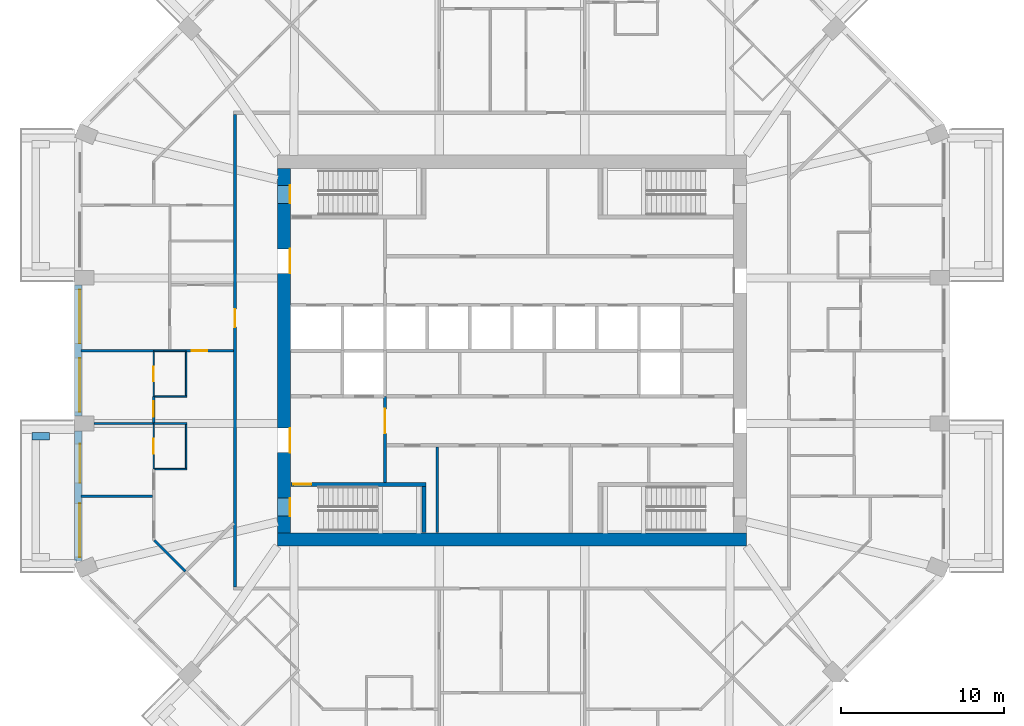
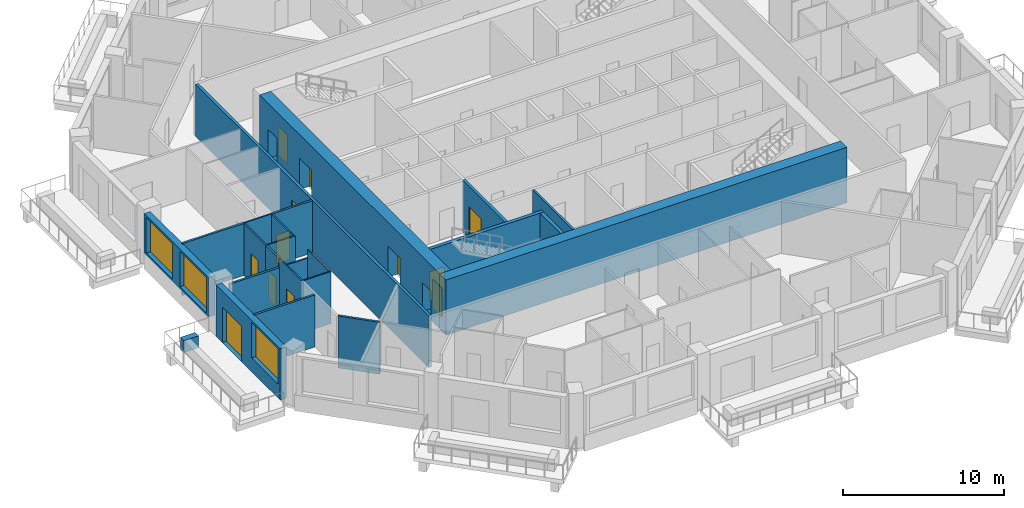
# One storey, part 4 of 13: 24 walls, 12 doors, 3 windows, 15 openings.
"""IFC4 building model written with IfcOpenShell, lengths in metres."""

import ifcopenshell
import ifcopenshell.guid

model = None  # the IFC model being written
_history = None  # IfcOwnerHistory: only IFC2X3 demands one
_inside = {}  # id of a spatial element -> (the spatial element, [elements in it])
_under = {}  # id of a project, library or spatial element -> (it, [spatial elements below it])
_declared = {}  # id of a project -> (the project, [libraries it declares])
_typed = {}  # id of a type object -> (the type object, [elements of that type])
_made_of = {}  # id of a material, layer set ... -> (it, [elements and type objects made of it])


def new_model(schema):
    """Start an empty IFC model of exactly this schema.

    Asked for "IFC4X3", IfcOpenShell would pick the latest addendum, in which some entities
    have other attributes; the version numbers below select the first issue.
    IFC2X3 requires an IfcOwnerHistory on every rooted entity: one is made here for all.
    """
    global model, _history
    if schema == "IFC4X3":
        model = ifcopenshell.file(schema_version=(4, 3, 0, 0))
    else:
        model = ifcopenshell.file(schema=schema)
    _inside.clear()
    _under.clear()
    _declared.clear()
    _typed.clear()
    _made_of.clear()
    _history = None
    if model.schema == "IFC2X3":
        org = make("IfcOrganization", Name="unknown")
        user = make(
            "IfcPersonAndOrganization",
            ThePerson=make("IfcPerson", FamilyName="unknown"),
            TheOrganization=org,
        )
        app = make(
            "IfcApplication",
            ApplicationDeveloper=org,
            Version="unknown",
            ApplicationFullName="unknown",
            ApplicationIdentifier="unknown",
        )
        _history = make(
            "IfcOwnerHistory",
            OwningUser=user,
            OwningApplication=app,
            ChangeAction="ADDED",
            CreationDate=0,
        )
    return model


def make(cls, **values):
    """One entity of the class cls with the attributes given. An attribute that is None is left unset."""
    return model.create_entity(
        cls, **{name: value for name, value in values.items() if value is not None}
    )


def rooted(cls, **values):
    """An entity with a GlobalId (a new one), such as an element, a storey or a relation."""
    return make(cls, GlobalId=ifcopenshell.guid.new(), OwnerHistory=_history, **values)


def si_unit(unit_type, name, prefix=None):
    """IfcSIUnit, for example si_unit("LENGTHUNIT", "METRE", prefix="MILLI")."""
    return make("IfcSIUnit", UnitType=unit_type, Prefix=prefix, Name=name)


def assignment(units):
    """IfcUnitAssignment: the units of a project."""
    return None if units is None else make("IfcUnitAssignment", Units=units)


def point(xyz):
    """IfcCartesianPoint."""
    return None if xyz is None else make("IfcCartesianPoint", Coordinates=xyz)


def direction(xyz):
    """IfcDirection."""
    return None if xyz is None else make("IfcDirection", DirectionRatios=xyz)


def frame(location, z_axis=None, x_axis=None):
    """IfcAxis2Placement3D, a coordinate frame: its origin and axes. An axis left out is left unset."""
    return make(
        "IfcAxis2Placement3D",
        Location=point(location),
        Axis=direction(z_axis),
        RefDirection=direction(x_axis),
    )


def frame_2d(location, x_axis=None):
    """IfcAxis2Placement2D, a coordinate frame in the plane: its origin and x axis."""
    return make(
        "IfcAxis2Placement2D", Location=point(location), RefDirection=direction(x_axis)
    )


def origin():
    """The frame at (0, 0, 0) with its axes left unset."""
    return frame((0.0, 0.0, 0.0))


def place(relative_to, where):
    """IfcLocalPlacement: puts the frame where relative to a parent placement (None: the world)."""
    return make(
        "IfcLocalPlacement", PlacementRelTo=relative_to, RelativePlacement=where
    )


def context(
    kind, dimensions, precision=None, world=None, true_north=None, identifier=None
):
    """IfcGeometricRepresentationContext, for example the 3D "Model" context."""
    return make(
        "IfcGeometricRepresentationContext",
        ContextIdentifier=identifier,
        ContextType=kind,
        CoordinateSpaceDimension=dimensions,
        Precision=precision,
        WorldCoordinateSystem=world,
        TrueNorth=true_north,
    )


def subcontext(parent, identifier, kind, view, scale=None):
    """IfcGeometricRepresentationSubContext, for example "Body" below "Model"."""
    return make(
        "IfcGeometricRepresentationSubContext",
        ContextIdentifier=identifier,
        ContextType=kind,
        ParentContext=parent,
        TargetScale=scale,
        TargetView=view,
    )


def project(units=None, contexts=None):
    """IfcProject with its units and contexts."""
    return rooted(
        "IfcProject",
        Name="project",
        RepresentationContexts=contexts,
        UnitsInContext=assignment(units),
    )


def spatial(cls, under=None, at=None, **own):
    """A site, building, storey or space (cls), placed at a placement, below another one or the project."""
    s = rooted(cls, ObjectPlacement=at, **own)
    if under is not None:
        _under.setdefault(under.id(), (under, []))[1].append(s)
    return s


def profile(cls, at=None, kind="AREA", **sizes):
    """A parametric profile (cls). Its sizes go by their IFC names, for example OverallWidth=200.0."""
    return make(cls, ProfileType=kind, Position=at, **sizes)


def rectangle(**sizes):
    """IfcRectangleProfileDef."""
    return profile("IfcRectangleProfileDef", **sizes)


def extrude(swept, where, along, depth):
    """IfcExtrudedAreaSolid: the profile swept, set in the frame where, extruded along a direction by depth."""
    return make(
        "IfcExtrudedAreaSolid",
        SweptArea=swept,
        Position=where,
        ExtrudedDirection=direction(along),
        Depth=depth,
    )


def shape(context_of_items, identifier, shape_type, items):
    """IfcShapeRepresentation: the items that make up one representation, for example the "Body"."""
    return make(
        "IfcShapeRepresentation",
        ContextOfItems=context_of_items,
        RepresentationIdentifier=identifier,
        RepresentationType=shape_type,
        Items=items,
    )


def material(Name=None, Category=None):
    """IfcMaterial."""
    return make("IfcMaterial", Name=Name, Category=Category)


def layer(
    of_material, thickness, ventilated=None, Name=None, Category=None, Priority=None
):
    """IfcMaterialLayer: one layer of a wall or slab, of a material (None: an air gap)."""
    return make(
        "IfcMaterialLayer",
        Material=of_material,
        LayerThickness=thickness,
        IsVentilated=ventilated,
        Name=Name,
        Category=Category,
        Priority=Priority,
    )


def layer_set(layers, Name=None):
    """IfcMaterialLayerSet."""
    return make("IfcMaterialLayerSet", MaterialLayers=layers, LayerSetName=Name)


def made_of(thing, what):
    """Note that an element or type object is made of a material, layer set ...; save() writes the relation."""
    if what is not None:
        _made_of.setdefault(what.id(), (what, []))[1].append(thing)
    return thing


def type_object(cls, material=None, **own):
    """A type object (cls), such as IfcWallType, which elements share."""
    return made_of(rooted(cls, **own), material)


def element(
    cls,
    number,
    at=None,
    inside=None,
    cuts=None,
    type_object=None,
    material=None,
    context=None,
    identifier="Body",
    shape_type=None,
    held_by="IfcProductDefinitionShape",
    body=None,
    shapes=None,
    **own,
):
    """One element of the class cls, such as IfcWall. Its Tag is "e" and its number.

    at: its placement. inside: the storey or other place that contains it. cuts: it is an
    opening in that element (IfcRelVoidsElement). A single representation is given by context,
    identifier, shape_type and body (its items); several are given by shapes. held_by: the class
    of the entity that holds the representations. save() writes the other relations.
    """
    e = rooted(cls, Tag="e%d" % number, ObjectPlacement=at, **own)
    if body is not None:
        shapes = [shape(context, identifier, shape_type, body)]
    if shapes is not None:
        e.Representation = make(held_by, Representations=shapes)
    if inside is not None:
        _inside.setdefault(inside.id(), (inside, []))[1].append(e)
    if cuts is not None:
        rooted(
            "IfcRelVoidsElement", RelatingBuildingElement=cuts, RelatedOpeningElement=e
        )
    if type_object is not None:
        _typed.setdefault(type_object.id(), (type_object, []))[1].append(e)
    return made_of(e, material)


def fill(opening, filler):
    """IfcRelFillsElement: the door or window that sits in an opening."""
    return rooted(
        "IfcRelFillsElement",
        RelatingOpeningElement=opening,
        RelatedBuildingElement=filler,
    )


def aggregate(whole, parts):
    """IfcRelAggregates: a whole, such as a stair, and the parts it consists of."""
    return rooted("IfcRelAggregates", RelatingObject=whole, RelatedObjects=parts)


def save(model, path):
    """Write the relations noted so far, then the file.

    IfcRelAggregates (storeys below a building ...), IfcRelContainedInSpatialStructure (elements
    in a storey), IfcRelDefinesByType, IfcRelAssociatesMaterial and IfcRelDeclares: one each for
    every whole, place, type object, material and project.
    """
    for whole, parts in _under.values():
        aggregate(whole, parts)
    for where, things in _inside.values():
        rooted(
            "IfcRelContainedInSpatialStructure",
            RelatedElements=things,
            RelatingStructure=where,
        )
    for kind, things in _typed.values():
        rooted("IfcRelDefinesByType", RelatedObjects=things, RelatingType=kind)
    for what, things in _made_of.values():
        rooted("IfcRelAssociatesMaterial", RelatedObjects=things, RelatingMaterial=what)
    for by, libraries in _declared.values():
        rooted("IfcRelDeclares", RelatingContext=by, RelatedDefinitions=libraries)
    model.write(path)


model = new_model("IFC4")

# Units and contexts
model_context = context("Model", 3, precision=1e-05, world=origin(), true_north=direction((0.0, 1.0)))
body_context = subcontext(model_context, "Body", "Model", "MODEL_VIEW")
ifc_project = project(units=[si_unit("LENGTHUNIT", "METRE"), si_unit("AREAUNIT", "SQUARE_METRE"), si_unit("VOLUMEUNIT", "CUBIC_METRE"), si_unit("PLANEANGLEUNIT", "RADIAN"), si_unit("MASSUNIT", "GRAM", prefix="KILO")], contexts=[model_context])

# Site, building, storey
site_placement = place(None, origin())
site = spatial("IfcSite", under=ifc_project, at=site_placement, CompositionType="ELEMENT")
building_placement = place(site_placement, origin())
building = spatial("IfcBuilding", under=site, at=building_placement, Name="Msitu Wima Residences", CompositionType="ELEMENT")
storey_placement = place(building_placement, frame((0.0, 0.0, 135.89990234375)))
storey = spatial("IfcBuildingStorey", under=building, at=storey_placement, Name="L31", CompositionType="ELEMENT", Elevation=135.89990234375)

# Wall
ifc_material_1 = material(Name="Facing brick")
ifc_layer_1 = layer(ifc_material_1, 0.06494140625, Name="Facing brick")
ifc_material_2 = material(Name="Concrete C40/50", Category="concrete")
ifc_layer_2 = layer(ifc_material_2, 0.156005859375, Name="Concrete C40/50")
ifc_material_3 = material(Name="Waterproofing membrane")
ifc_layer_3 = layer(ifc_material_3, 0.00390625, Name="Waterproofing membrane")
ifc_material_4 = material(Name="Planting soil and planting")
ifc_layer_4 = layer(ifc_material_4, 0.22509765625, Name="Planting soil and planting")
ifc_layer_set_1 = layer_set([ifc_layer_1, ifc_layer_2, ifc_layer_3, ifc_layer_4], Name="Concrete C40/50")
wall_type_1 = type_object("IfcWallType", Name="Balcony planter PLANTER PL450", PredefinedType="USERDEFINED", material=ifc_layer_set_1)
wall_1_placement = place(storey_placement, frame((-28.39990234375, -5.24365234375, 0.0), z_axis=(0.0, 0.0, 1.0), x_axis=(-1.0, 0.0, 0.0)))
element("IfcWall", 1, at=wall_1_placement, inside=storey, type_object=wall_type_1, Name="Balcony planter W2 L31", ObjectType="PLANTER", PredefinedType="USERDEFINED", context=body_context, shape_type="SweptSolid", body=[
    extrude(rectangle(XDim=1.050048828125, YDim=0.449951171875, at=frame_2d((0.52490234375, 0.0))), origin(), (0.0, 0.0, 1.0), 0.900146484375),
])

# Wall, openings, windows
ifc_material_5 = material(Name="Brick (red buff mix)", Category="masonry")
ifc_layer_5 = layer(ifc_material_5, 0.449951171875)
ifc_layer_set_2 = layer_set([ifc_layer_5], Name="Brick (red buff mix)")
wall_type_2 = type_object("IfcWallType", Name="Brick infill wall BW450", PredefinedType="SOLIDWALL", material=ifc_layer_set_2)
wall_2_placement = place(storey_placement, frame((-26.625, 4.0185546875, 0.900146484375), z_axis=(0.0, 0.0, 1.0), x_axis=(0.0, -1.0, 0.0)))
wall_2 = element("IfcWall", 2, at=wall_2_placement, inside=storey, type_object=wall_type_2, Name="Brick infill wall L31 W1", PredefinedType="SOLIDWALL", context=body_context, shape_type="SweptSolid", body=[
    extrude(rectangle(XDim=8.037109375, YDim=0.449951171875, at=frame_2d((4.0185546875, 0.0))), origin(), (0.0, 0.0, 1.0), 3.0),
])
opening_1_placement = place(wall_2_placement, frame((0.2685546875, 0.0, 0.14990234375)))
opening_1 = element("IfcOpeningElement", 3, at=opening_1_placement, cuts=wall_2, Name="Opening W30-32.028", PredefinedType="OPENING", context=body_context, shape_type="SweptSolid", body=[
    extrude(rectangle(XDim=3.300048828125, YDim=2.699951171875, at=frame_2d((1.64990234375, 1.35009765625))), frame((0.0, 0.23486328125, 0.0), z_axis=(0.0, -1.0, 0.0), x_axis=(1.0, 0.0, 0.0)), (0.0, 0.0, 1.0), 0.469970703125),
])
opening_2_placement = place(wall_2_placement, frame((4.46875, 0.0, 0.14990234375)))
opening_2 = element("IfcOpeningElement", 4, at=opening_2_placement, cuts=wall_2, Name="Opening W30-32.029", PredefinedType="OPENING", context=body_context, shape_type="SweptSolid", body=[
    extrude(rectangle(XDim=3.300048828125, YDim=2.699951171875, at=frame_2d((1.64990234375, 1.35009765625))), frame((0.0, 0.23486328125, 0.0), z_axis=(0.0, -1.0, 0.0), x_axis=(1.0, 0.0, 0.0)), (0.0, 0.0, 1.0), 0.469970703125),
])
ifc_material_6 = material(Name="Anodised aluminium, bronze finish, clear low-emissivity double glazing", Category="aluminium")
window_type = type_object("IfcWindowType", Name="Window W3300x2700", PartitioningType="DOUBLE_PANEL_VERTICAL", PredefinedType="WINDOW", material=ifc_material_6)
window_1_placement = place(opening_1_placement, origin())
window_1 = element("IfcWindow", 5, at=window_1_placement, inside=storey, type_object=window_type, Name="Window L31 W1.1", OverallHeight=2.699951171875, OverallWidth=3.300048828125, PartitioningType="SINGLE_PANEL", PredefinedType="WINDOW", context=body_context, shape_type="SweptSolid", body=[
    extrude(rectangle(XDim=3.300048828125, YDim=2.699951171875, at=frame_2d((1.64990234375, 1.35009765625))), frame((0.0, 0.135009765625, 0.0), z_axis=(0.0, -1.0, 0.0), x_axis=(1.0, 0.0, 0.0)), (0.0, 0.0, 1.0), 0.06005859375),
])
fill(opening_1, window_1)
window_2_placement = place(opening_2_placement, origin())
window_2 = element("IfcWindow", 6, at=window_2_placement, inside=storey, type_object=window_type, Name="Window L31 W1.2", OverallHeight=2.699951171875, OverallWidth=3.300048828125, PartitioningType="SINGLE_PANEL", PredefinedType="WINDOW", context=body_context, shape_type="SweptSolid", body=[
    extrude(rectangle(XDim=3.300048828125, YDim=2.699951171875, at=frame_2d((1.64990234375, 1.35009765625))), frame((0.0, 0.135009765625, 0.0), z_axis=(0.0, -1.0, 0.0), x_axis=(1.0, 0.0, 0.0)), (0.0, 0.0, 1.0), 0.06005859375),
])
fill(opening_2, window_2)

# Wall, openings, door, window
wall_3_placement = place(storey_placement, frame((-26.625, -4.918701171875, 0.0), z_axis=(0.0, 0.0, 1.0), x_axis=(0.0, -1.0, 0.0)))
wall_3 = element("IfcWall", 7, at=wall_3_placement, inside=storey, type_object=wall_type_2, Name="Brick infill wall L31 W2", PredefinedType="SOLIDWALL", context=body_context, shape_type="SweptSolid", body=[
    extrude(rectangle(XDim=8.0, YDim=0.449951171875, at=frame_2d((4.0, 0.0))), origin(), (0.0, 0.0, 1.0), 3.900146484375),
])
opening_3_placement = place(wall_3_placement, frame((0.800048828125, 0.0, 0.0)))
opening_3 = element("IfcOpeningElement", 8, at=opening_3_placement, cuts=wall_3, Name="Opening D30-32.010", PredefinedType="OPENING", context=body_context, shape_type="SweptSolid", body=[
    extrude(rectangle(XDim=2.39990234375, YDim=2.699951171875, at=frame_2d((1.199951171875, 1.35009765625))), frame((0.0, 0.23486328125, 0.0), z_axis=(0.0, -1.0, 0.0), x_axis=(1.0, 0.0, 0.0)), (0.0, 0.0, 1.0), 0.469970703125),
])
opening_4_placement = place(wall_3_placement, frame((4.4501953125, 0.0, 1.050048828125)))
opening_4 = element("IfcOpeningElement", 9, at=opening_4_placement, cuts=wall_3, Name="Opening W30-32.030", PredefinedType="OPENING", context=body_context, shape_type="SweptSolid", body=[
    extrude(rectangle(XDim=3.300048828125, YDim=2.699951171875, at=frame_2d((1.64990234375, 1.35009765625))), frame((0.0, 0.23486328125, 0.0), z_axis=(0.0, -1.0, 0.0), x_axis=(1.0, 0.0, 0.0)), (0.0, 0.0, 1.0), 0.469970703125),
])
door_type_1 = type_object("IfcDoorType", Name="Balcony door D2400x2700", OperationType="SLIDING_TO_LEFT", PredefinedType="DOOR", material=ifc_material_6)
door_1_placement = place(opening_3_placement, origin())
door_1 = element("IfcDoor", 10, at=door_1_placement, inside=storey, type_object=door_type_1, Name="Balcony door L31 W2", OperationType="SINGLE_SWING_LEFT", OverallHeight=2.699951171875, OverallWidth=2.39990234375, PredefinedType="DOOR", context=body_context, shape_type="SweptSolid", body=[
    extrude(rectangle(XDim=2.39990234375, YDim=2.699951171875, at=frame_2d((1.199951171875, 1.35009765625))), frame((0.0, 0.1298828125, 0.0), z_axis=(0.0, -1.0, 0.0), x_axis=(1.0, 0.0, 0.0)), (0.0, 0.0, 1.0), 0.050048828125),
])
fill(opening_3, door_1)
window_3_placement = place(opening_4_placement, origin())
window_3 = element("IfcWindow", 11, at=window_3_placement, inside=storey, type_object=window_type, Name="Window L31 W2.2", OverallHeight=2.699951171875, OverallWidth=3.300048828125, PartitioningType="SINGLE_PANEL", PredefinedType="WINDOW", context=body_context, shape_type="SweptSolid", body=[
    extrude(rectangle(XDim=3.300048828125, YDim=2.699951171875, at=frame_2d((1.64990234375, 1.35009765625))), frame((0.0, 0.135009765625, 0.0), z_axis=(0.0, -1.0, 0.0), x_axis=(1.0, 0.0, 0.0)), (0.0, 0.0, 1.0), 0.06005859375),
])
fill(opening_4, window_3)

# Wall
ifc_material_7 = material(Name="Concrete C70/85", Category="concrete")
ifc_layer_6 = layer(ifc_material_7, 0.800048828125)
ifc_layer_set_3 = layer_set([ifc_layer_6], Name="Concrete C70/85")
wall_type_3 = type_object("IfcWallType", Name="Core wall CW800 C70/85", PredefinedType="SHEAR", material=ifc_layer_set_3)
wall_4_placement = place(storey_placement, frame((-14.39990234375, -11.60009765625, 0.0), z_axis=(0.0, 0.0, 1.0), x_axis=(1.0, 0.0, 0.0)))
element("IfcWall", 12, at=wall_4_placement, inside=storey, type_object=wall_type_3, Name="Core wall", PredefinedType="SHEAR", context=body_context, shape_type="SweptSolid", body=[
    extrude(rectangle(XDim=28.7998046875, YDim=0.800048828125, at=frame_2d((14.39990234375, 0.0))), origin(), (0.0, 0.0, 1.0), 4.2001953125),
])

# Wall, openings, doors
wall_5_placement = place(storey_placement, frame((-14.0, -11.199951171875, 0.0), z_axis=(0.0, 0.0, 1.0), x_axis=(0.0, 1.0, 0.0)))
wall_5 = element("IfcWall", 13, at=wall_5_placement, inside=storey, type_object=wall_type_3, Name="Core wall", PredefinedType="SHEAR", context=body_context, shape_type="SweptSolid", body=[
    extrude(rectangle(XDim=22.39990234375, YDim=0.800048828125, at=frame_2d((11.199951171875, 0.0))), origin(), (0.0, 0.0, 1.0), 4.2001953125),
])
opening_5_placement = place(wall_5_placement, frame((20.25, 0.0, 0.0)))
opening_5 = element("IfcOpeningElement", 14, at=opening_5_placement, cuts=wall_5, Name="Opening D30-32.034", PredefinedType="OPENING", context=body_context, shape_type="SweptSolid", body=[
    extrude(rectangle(XDim=1.10009765625, YDim=2.199951171875, at=frame_2d((0.550048828125, 1.10009765625))), frame((0.0, 0.409912109375, 0.0), z_axis=(0.0, -1.0, 0.0), x_axis=(1.0, 0.0, 0.0)), (0.0, 0.0, 1.0), 0.820068359375),
])
opening_6_placement = place(wall_5_placement, frame((1.050048828125, 0.0, 0.0)))
opening_6 = element("IfcOpeningElement", 15, at=opening_6_placement, cuts=wall_5, Name="Opening D30-32.036", PredefinedType="OPENING", context=body_context, shape_type="SweptSolid", body=[
    extrude(rectangle(XDim=1.10009765625, YDim=2.199951171875, at=frame_2d((0.550048828125, 1.10009765625))), frame((0.0, 0.409912109375, 0.0), z_axis=(0.0, -1.0, 0.0), x_axis=(1.0, 0.0, 0.0)), (0.0, 0.0, 1.0), 0.820068359375),
])
opening_7_placement = place(wall_5_placement, frame((15.949951171875, 0.0, 0.0)))
opening_7 = element("IfcOpeningElement", 16, at=opening_7_placement, cuts=wall_5, Name="Opening D30-32.016", PredefinedType="OPENING", context=body_context, shape_type="SweptSolid", body=[
    extrude(rectangle(XDim=1.5, YDim=2.39990234375, at=frame_2d((0.75, 1.199951171875))), frame((0.0, 0.409912109375, 0.0), z_axis=(0.0, -1.0, 0.0), x_axis=(1.0, 0.0, 0.0)), (0.0, 0.0, 1.0), 0.820068359375),
])
opening_8_placement = place(wall_5_placement, frame((4.949951171875, 0.0, 0.0)))
opening_8 = element("IfcOpeningElement", 17, at=opening_8_placement, cuts=wall_5, Name="Opening D30-32.018", PredefinedType="OPENING", context=body_context, shape_type="SweptSolid", body=[
    extrude(rectangle(XDim=1.5, YDim=2.39990234375, at=frame_2d((0.75, 1.199951171875))), frame((0.0, 0.409912109375, 0.0), z_axis=(0.0, -1.0, 0.0), x_axis=(1.0, 0.0, 0.0)), (0.0, 0.0, 1.0), 0.820068359375),
])
ifc_material_8 = material(Name="Steel framed glazed door, fire resisting", Category="steel")
door_type_2 = type_object("IfcDoorType", Name="Lobby door D07 1500x2400", OperationType="DOUBLE_DOOR_SINGLE_SWING", PredefinedType="DOOR", material=ifc_material_8)
door_2_placement = place(opening_7_placement, origin())
door_2 = element("IfcDoor", 18, at=door_2_placement, inside=storey, type_object=door_type_2, Name="Lobby door", OperationType="DOUBLE_DOOR_SINGLE_SWING", OverallHeight=2.39990234375, OverallWidth=1.5, PredefinedType="DOOR", context=body_context, shape_type="SweptSolid", body=[
    extrude(rectangle(XDim=1.5, YDim=2.39990234375, at=frame_2d((0.75, 1.199951171875))), frame((0.0, -0.34521484375, 0.0), z_axis=(0.0, -1.0, 0.0), x_axis=(1.0, 0.0, 0.0)), (0.0, 0.0, 1.0), 0.050048828125),
])
fill(opening_7, door_2)
door_3_placement = place(opening_8_placement, origin())
door_3 = element("IfcDoor", 19, at=door_3_placement, inside=storey, type_object=door_type_2, Name="Lobby door", OperationType="DOUBLE_DOOR_SINGLE_SWING", OverallHeight=2.39990234375, OverallWidth=1.5, PredefinedType="DOOR", context=body_context, shape_type="SweptSolid", body=[
    extrude(rectangle(XDim=1.5, YDim=2.39990234375, at=frame_2d((0.75, 1.199951171875))), frame((0.0, -0.34521484375, 0.0), z_axis=(0.0, -1.0, 0.0), x_axis=(1.0, 0.0, 0.0)), (0.0, 0.0, 1.0), 0.050048828125),
])
fill(opening_8, door_3)
ifc_material_9 = material(Name="Steel door, fire resisting, panic bar", Category="steel")
door_type_3 = type_object("IfcDoorType", Name="Stair door D06 1100x2200", OperationType="SINGLE_SWING_LEFT", PredefinedType="DOOR", material=ifc_material_9)
door_4_placement = place(opening_5_placement, origin())
door_4 = element("IfcDoor", 20, at=door_4_placement, inside=storey, type_object=door_type_3, Name="Stair door", OperationType="SINGLE_SWING_RIGHT", OverallHeight=2.199951171875, OverallWidth=1.10009765625, PredefinedType="DOOR", context=body_context, shape_type="SweptSolid", body=[
    extrude(rectangle(XDim=1.10009765625, YDim=2.199951171875, at=frame_2d((0.550048828125, 1.10009765625))), frame((0.0, -0.34521484375, 0.0), z_axis=(0.0, -1.0, 0.0), x_axis=(1.0, 0.0, 0.0)), (0.0, 0.0, 1.0), 0.050048828125),
])
fill(opening_5, door_4)
door_5_placement = place(opening_6_placement, origin())
door_5 = element("IfcDoor", 21, at=door_5_placement, inside=storey, type_object=door_type_3, Name="Stair door", OperationType="SINGLE_SWING_LEFT", OverallHeight=2.199951171875, OverallWidth=1.10009765625, PredefinedType="DOOR", context=body_context, shape_type="SweptSolid", body=[
    extrude(rectangle(XDim=1.10009765625, YDim=2.199951171875, at=frame_2d((0.550048828125, 1.10009765625))), frame((0.0, -0.34521484375, 0.0), z_axis=(0.0, -1.0, 0.0), x_axis=(1.0, 0.0, 0.0)), (0.0, 0.0, 1.0), 0.050048828125),
])
fill(opening_6, door_5)

# Wall, opening, door
ifc_material_10 = material(Name="Plaster")
ifc_layer_7 = layer(ifc_material_10, 0.011962890625, Name="Plaster")
ifc_material_11 = material(Name="Concrete blockwork", Category="masonry")
ifc_layer_8 = layer(ifc_material_11, 0.176025390625, Name="Concrete blockwork")
ifc_layer_9 = layer(ifc_material_10, 0.011962890625, Name="Plaster")
ifc_layer_set_4 = layer_set([ifc_layer_7, ifc_layer_8, ifc_layer_9], Name="Concrete blockwork")
wall_type_4 = type_object("IfcWallType", Name="Corridor wall FW200", PredefinedType="PARTITIONING", material=ifc_layer_set_4)
wall_6_placement = place(storey_placement, frame((-17.0, -14.5, 0.0), z_axis=(0.0, 0.0, 1.0), x_axis=(0.0, 1.0, 0.0)))
wall_6 = element("IfcWall", 22, at=wall_6_placement, inside=storey, type_object=wall_type_4, Name="Corridor wall", PredefinedType="PARTITIONING", context=body_context, shape_type="SweptSolid", body=[
    extrude(rectangle(XDim=29.0, YDim=0.199951171875, at=frame_2d((14.5, 0.0))), origin(), (0.0, 0.0, 1.0), 3.9501953125),
])
opening_9_placement = place(wall_6_placement, frame((15.949951171875, 0.0, 0.0)))
opening_9 = element("IfcOpeningElement", 23, at=opening_9_placement, cuts=wall_6, Name="Opening D30-32.012", PredefinedType="OPENING", context=body_context, shape_type="SweptSolid", body=[
    extrude(rectangle(XDim=1.10009765625, YDim=2.39990234375, at=frame_2d((0.550048828125, 1.199951171875))), frame((0.0, 0.10986328125, 0.0), z_axis=(0.0, -1.0, 0.0), x_axis=(1.0, 0.0, 0.0)), (0.0, 0.0, 1.0), 0.219970703125),
])
ifc_material_12 = material(Name="Timber flush door, fire resisting, self-closing", Category="wood")
door_type_4 = type_object("IfcDoorType", Name="Flat entrance door D01 1100x2400", OperationType="SINGLE_SWING_LEFT", PredefinedType="DOOR", material=ifc_material_12)
door_6_placement = place(opening_9_placement, origin())
door_6 = element("IfcDoor", 24, at=door_6_placement, inside=storey, type_object=door_type_4, Name="Flat entrance door", OperationType="SINGLE_SWING_LEFT", OverallHeight=2.39990234375, OverallWidth=1.10009765625, PredefinedType="DOOR", context=body_context, shape_type="SweptSolid", body=[
    extrude(rectangle(XDim=1.10009765625, YDim=2.39990234375, at=frame_2d((0.550048828125, 1.199951171875))), frame((0.0, 0.02490234375, 0.0), z_axis=(0.0, -1.0, 0.0), x_axis=(1.0, 0.0, 0.0)), (0.0, 0.0, 1.0), 0.050048828125),
])
fill(opening_9, door_6)

wall_7_placement = place(storey_placement, frame((-7.800048828125, -8.074951171875, 0.0), z_axis=(0.0, 0.0, 1.0), x_axis=(0.0, 1.0, 0.0)))
wall_7 = element("IfcWall", 25, at=wall_7_placement, inside=storey, type_object=wall_type_4, Name="Corridor wall", PredefinedType="PARTITIONING", context=body_context, shape_type="SweptSolid", body=[
    extrude(rectangle(XDim=5.27490234375, YDim=0.199951171875, at=frame_2d((2.637451171875, 0.0))), origin(), (0.0, 0.0, 1.0), 3.9501953125),
])
opening_10_placement = place(wall_7_placement, frame((3.0, 0.0, 0.0)))
opening_10 = element("IfcOpeningElement", 26, at=opening_10_placement, cuts=wall_7, Name="Opening D30-32.019", PredefinedType="OPENING", context=body_context, shape_type="SweptSolid", body=[
    extrude(rectangle(XDim=1.5, YDim=2.39990234375, at=frame_2d((0.75, 1.199951171875))), frame((0.0, 0.10986328125, 0.0), z_axis=(0.0, -1.0, 0.0), x_axis=(1.0, 0.0, 0.0)), (0.0, 0.0, 1.0), 0.219970703125),
])
door_7_placement = place(opening_10_placement, origin())
door_7 = element("IfcDoor", 27, at=door_7_placement, inside=storey, type_object=door_type_2, Name="Lobby door", OperationType="DOUBLE_DOOR_SINGLE_SWING", OverallHeight=2.39990234375, OverallWidth=1.5, PredefinedType="DOOR", context=body_context, shape_type="SweptSolid", body=[
    extrude(rectangle(XDim=1.5, YDim=2.39990234375, at=frame_2d((0.75, 1.199951171875))), frame((0.0, 0.02490234375, 0.0), z_axis=(0.0, -1.0, 0.0), x_axis=(1.0, 0.0, 0.0)), (0.0, 0.0, 1.0), 0.050048828125),
])
fill(opening_10, door_7)

# Walls
ifc_layer_10 = layer(ifc_material_10, 0.011962890625, Name="Plaster")
ifc_layer_11 = layer(ifc_material_11, 0.1259765625, Name="Concrete blockwork")
ifc_layer_12 = layer(ifc_material_10, 0.011962890625, Name="Plaster")
ifc_layer_set_5 = layer_set([ifc_layer_10, ifc_layer_11, ifc_layer_12], Name="Concrete blockwork")
wall_type_5 = type_object("IfcWallType", Name="Partition PW150", PredefinedType="PARTITIONING", material=ifc_layer_set_5)
wall_8_placement = place(storey_placement, frame((-26.455078125, -8.937255859375, 0.0), z_axis=(0.0, 0.0, 1.0), x_axis=(1.0, 0.0, 0.0)))
element("IfcWall", 28, at=wall_8_placement, inside=storey, type_object=wall_type_5, Name="Partition", PredefinedType="PARTITIONING", context=body_context, shape_type="SweptSolid", body=[
    extrude(rectangle(XDim=4.380126953125, YDim=0.14990234375, at=frame_2d((2.18994140625, 0.0))), origin(), (0.0, 0.0, 1.0), 3.9501953125),
])
wall_9_placement = place(storey_placement, frame((-25.64990234375, -4.46875, 0.0), z_axis=(0.0, 0.0, 1.0), x_axis=(1.0, 0.0, 0.0)))
element("IfcWall", 29, at=wall_9_placement, inside=storey, type_object=wall_type_5, Name="Partition", PredefinedType="PARTITIONING", context=body_context, shape_type="SweptSolid", body=[
    extrude(rectangle(XDim=3.669921875, YDim=0.14990234375, at=frame_2d((1.8349609375, 0.0))), origin(), (0.0, 0.0, 1.0), 3.300048828125),
])
wall_10_placement = place(storey_placement, frame((-26.455078125, 0.0, 0.0), z_axis=(0.0, 0.0, 1.0), x_axis=(1.0, 0.0, 0.0)))
element("IfcWall", 30, at=wall_10_placement, inside=storey, type_object=wall_type_5, Name="Partition", PredefinedType="PARTITIONING", context=body_context, shape_type="SweptSolid", body=[
    extrude(rectangle(XDim=4.47509765625, YDim=0.14990234375, at=frame_2d((2.237548828125, 0.0))), origin(), (0.0, 0.0, 1.0), 3.9501953125),
])
wall_11_placement = place(storey_placement, frame((-21.947021484375, -11.636474609375, 0.0), z_axis=(0.0, 0.0, 1.0), x_axis=(0.707106781187, -0.707106781187, 0.0)))
element("IfcWall", 31, at=wall_11_placement, inside=storey, type_object=wall_type_5, Name="Partition", PredefinedType="PARTITIONING", context=body_context, shape_type="SweptSolid", body=[
    extrude(rectangle(XDim=2.696533203125, YDim=0.14990234375, at=frame_2d((1.34814453125, 0.0))), origin(), (0.0, 0.0, 1.0), 3.9501953125),
])

# Wall, opening, door
wall_12_placement = place(storey_placement, frame((-22.0, -4.44873046875, 0.0), z_axis=(0.0, 0.0, 1.0), x_axis=(0.0, 1.0, 0.0)))
wall_12 = element("IfcWall", 32, at=wall_12_placement, inside=storey, type_object=wall_type_5, Name="Partition", PredefinedType="PARTITIONING", context=body_context, shape_type="SweptSolid", body=[
    extrude(rectangle(XDim=1.628662109375, YDim=0.14990234375, at=frame_2d((0.814453125, 0.0))), origin(), (0.0, 0.0, 1.0), 3.9501953125),
])
opening_11_placement = place(wall_12_placement, frame((0.39990234375, 0.0, 0.0)))
opening_11 = element("IfcOpeningElement", 33, at=opening_11_placement, cuts=wall_12, Name="Opening D30-32.050", PredefinedType="OPENING", context=body_context, shape_type="SweptSolid", body=[
    extrude(rectangle(XDim=0.949951171875, YDim=2.199951171875, at=frame_2d((0.47509765625, 1.10009765625))), frame((0.0, 0.0849609375, 0.0), z_axis=(0.0, -1.0, 0.0), x_axis=(1.0, 0.0, 0.0)), (0.0, 0.0, 1.0), 0.169921875),
])
ifc_material_13 = material(Name="Timber flush door", Category="wood")
door_type_5 = type_object("IfcDoorType", Name="Room door D12 950x2200", OperationType="SINGLE_SWING_LEFT", PredefinedType="DOOR", material=ifc_material_13)
door_8_placement = place(opening_11_placement, origin())
door_8 = element("IfcDoor", 34, at=door_8_placement, inside=storey, type_object=door_type_5, Name="Room door", OperationType="SINGLE_SWING_LEFT", OverallHeight=2.199951171875, OverallWidth=0.949951171875, PredefinedType="DOOR", context=body_context, shape_type="SweptSolid", body=[
    extrude(rectangle(XDim=0.949951171875, YDim=2.199951171875, at=frame_2d((0.47509765625, 1.10009765625))), frame((0.0, 0.02490234375, 0.0), z_axis=(0.0, -1.0, 0.0), x_axis=(1.0, 0.0, 0.0)), (0.0, 0.0, 1.0), 0.050048828125),
])
fill(opening_11, door_8)

wall_13_placement = place(storey_placement, frame((-20.02001953125, 0.0, 0.0), z_axis=(0.0, 0.0, 1.0), x_axis=(1.0, 0.0, 0.0)))
wall_13 = element("IfcWall", 35, at=wall_13_placement, inside=storey, type_object=wall_type_5, Name="Partition", PredefinedType="PARTITIONING", context=body_context, shape_type="SweptSolid", body=[
    extrude(rectangle(XDim=2.919921875, YDim=0.14990234375, at=frame_2d((1.4599609375, 0.0))), origin(), (0.0, 0.0, 1.0), 3.9501953125),
])
opening_12_placement = place(wall_13_placement, frame((0.35009765625, 0.0, 0.0)))
opening_12 = element("IfcOpeningElement", 36, at=opening_12_placement, cuts=wall_13, Name="Opening D30-32.047", PredefinedType="OPENING", context=body_context, shape_type="SweptSolid", body=[
    extrude(rectangle(XDim=0.949951171875, YDim=2.199951171875, at=frame_2d((0.47509765625, 1.10009765625))), frame((0.0, 0.0849609375, 0.0), z_axis=(0.0, -1.0, 0.0), x_axis=(1.0, 0.0, 0.0)), (0.0, 0.0, 1.0), 0.169921875),
])
door_9_placement = place(opening_12_placement, origin())
door_9 = element("IfcDoor", 37, at=door_9_placement, inside=storey, type_object=door_type_5, Name="Room door", OperationType="SINGLE_SWING_RIGHT", OverallHeight=2.199951171875, OverallWidth=0.949951171875, PredefinedType="DOOR", context=body_context, shape_type="SweptSolid", body=[
    extrude(rectangle(XDim=0.949951171875, YDim=2.199951171875, at=frame_2d((0.47509765625, 1.10009765625))), frame((0.0, 0.02490234375, 0.0), z_axis=(0.0, -1.0, 0.0), x_axis=(1.0, 0.0, 0.0)), (0.0, 0.0, 1.0), 0.050048828125),
])
fill(opening_12, door_9)

# Wall
wall_14_placement = place(storey_placement, frame((-4.60009765625, -11.169921875, 0.0), z_axis=(0.0, 0.0, 1.0), x_axis=(0.0, 1.0, 0.0)))
element("IfcWall", 38, at=wall_14_placement, inside=storey, type_object=wall_type_5, Name="Partition", PredefinedType="PARTITIONING", context=body_context, shape_type="SweptSolid", body=[
    extrude(rectangle(XDim=5.27001953125, YDim=0.14990234375, at=frame_2d((2.635009765625, 0.0))), origin(), (0.0, 0.0, 1.0), 3.9501953125),
])

# Wall, opening, door
ifc_material_14 = material(Name="Concrete C50/60", Category="concrete")
ifc_layer_13 = layer(ifc_material_14, 0.25)
ifc_layer_set_6 = layer_set([ifc_layer_13], Name="Concrete C50/60")
wall_type_6 = type_object("IfcWallType", Name="Stair enclosure wall SW250", PredefinedType="SHEAR", material=ifc_layer_set_6)
wall_15_placement = place(storey_placement, frame((-13.570068359375, -8.199951171875, 0.0), z_axis=(0.0, 0.0, 1.0), x_axis=(1.0, 0.0, 0.0)))
wall_15 = element("IfcWall", 39, at=wall_15_placement, inside=storey, type_object=wall_type_6, Name="Stair enclosure wall", PredefinedType="SHEAR", context=body_context, shape_type="SweptSolid", body=[
    extrude(rectangle(XDim=8.295166015625, YDim=0.25, at=frame_2d((4.1474609375, 0.0))), origin(), (0.0, 0.0, 1.0), 3.9501953125),
])
opening_13_placement = place(wall_15_placement, frame((0.14990234375, 0.0, 0.0)))
opening_13 = element("IfcOpeningElement", 40, at=opening_13_placement, cuts=wall_15, Name="Opening D30-32.037", PredefinedType="OPENING", context=body_context, shape_type="SweptSolid", body=[
    extrude(rectangle(XDim=1.10009765625, YDim=2.199951171875, at=frame_2d((0.550048828125, 1.10009765625))), frame((0.0, 0.135009765625, 0.0), z_axis=(0.0, -1.0, 0.0), x_axis=(1.0, 0.0, 0.0)), (0.0, 0.0, 1.0), 0.27001953125),
])
door_10_placement = place(opening_13_placement, origin())
door_10 = element("IfcDoor", 41, at=door_10_placement, inside=storey, type_object=door_type_3, Name="Stair door", OperationType="SINGLE_SWING_RIGHT", OverallHeight=2.199951171875, OverallWidth=1.10009765625, PredefinedType="DOOR", context=body_context, shape_type="SweptSolid", body=[
    extrude(rectangle(XDim=1.10009765625, YDim=2.199951171875, at=frame_2d((0.550048828125, 1.10009765625))), frame((0.0, 0.02490234375, 0.0), z_axis=(0.0, -1.0, 0.0), x_axis=(1.0, 0.0, 0.0)), (0.0, 0.0, 1.0), 0.050048828125),
])
fill(opening_13, door_10)

# Walls
wall_16_placement = place(storey_placement, frame((-5.39990234375, -11.169921875, 0.0), z_axis=(0.0, 0.0, 1.0), x_axis=(0.0, 1.0, 0.0)))
element("IfcWall", 42, at=wall_16_placement, inside=storey, type_object=wall_type_6, Name="Stair enclosure wall", PredefinedType="SHEAR", context=body_context, shape_type="SweptSolid", body=[
    extrude(rectangle(XDim=2.844970703125, YDim=0.25, at=frame_2d((1.42236328125, 0.0))), origin(), (0.0, 0.0, 1.0), 3.9501953125),
])
ifc_material_15 = material(Name="Ceramic tiles")
ifc_layer_14 = layer(ifc_material_15, 0.008056640625, Name="Ceramic tiles")
ifc_material_16 = material(Name="Moisture-resistant board")
ifc_layer_15 = layer(ifc_material_16, 0.012451171875, Name="Moisture-resistant board")
ifc_material_17 = material(Name="Light-gauge stud framing with mineral wool")
ifc_layer_16 = layer(ifc_material_17, 0.06689453125, Name="Light-gauge stud framing with mineral wool")
ifc_layer_17 = layer(ifc_material_16, 0.012451171875, Name="Moisture-resistant board")
ifc_layer_set_7 = layer_set([ifc_layer_14, ifc_layer_15, ifc_layer_16, ifc_layer_17], Name="Light-gauge stud framing with mineral wool")
wall_type_7 = type_object("IfcWallType", Name="Wet wall PW100", PredefinedType="PARTITIONING", material=ifc_layer_set_7)
wall_17_placement = place(storey_placement, frame((-21.97998046875, -4.46875, 0.0), z_axis=(0.0, 0.0, 1.0), x_axis=(1.0, 0.0, 0.0)))
element("IfcWall", 43, at=wall_17_placement, inside=storey, type_object=wall_type_7, Name="Wet wall", PredefinedType="PARTITIONING", context=body_context, shape_type="SweptSolid", body=[
    extrude(rectangle(XDim=2.030029296875, YDim=0.10009765625, at=frame_2d((1.01513671875, 0.0))), origin(), (0.0, 0.0, 1.0), 3.300048828125),
])
wall_18_placement = place(storey_placement, frame((-21.97998046875, 0.0, 0.0), z_axis=(0.0, 0.0, 1.0), x_axis=(1.0, 0.0, 0.0)))
element("IfcWall", 44, at=wall_18_placement, inside=storey, type_object=wall_type_7, Name="Wet wall", PredefinedType="PARTITIONING", context=body_context, shape_type="SweptSolid", body=[
    extrude(rectangle(XDim=1.9599609375, YDim=0.10009765625, at=frame_2d((0.97998046875, 0.0))), origin(), (0.0, 0.0, 1.0), 3.9501953125),
])

# Wall, opening, door
wall_19_placement = place(storey_placement, frame((-22.0, -7.2685546875, 0.0), z_axis=(0.0, 0.0, 1.0), x_axis=(0.0, 1.0, 0.0)))
wall_19 = element("IfcWall", 45, at=wall_19_placement, inside=storey, type_object=wall_type_7, Name="Wet wall", PredefinedType="PARTITIONING", context=body_context, shape_type="SweptSolid", body=[
    extrude(rectangle(XDim=2.81982421875, YDim=0.10009765625, at=frame_2d((1.409912109375, 0.0))), origin(), (0.0, 0.0, 1.0), 3.9501953125),
])
opening_14_placement = place(wall_19_placement, frame((0.949951171875, 0.0, 0.0)))
opening_14 = element("IfcOpeningElement", 46, at=opening_14_placement, cuts=wall_19, Name="Opening D30-32.049", PredefinedType="OPENING", context=body_context, shape_type="SweptSolid", body=[
    extrude(rectangle(XDim=0.89990234375, YDim=2.199951171875, at=frame_2d((0.449951171875, 1.10009765625))), frame((0.0, 0.06005859375, 0.0), z_axis=(0.0, -1.0, 0.0), x_axis=(1.0, 0.0, 0.0)), (0.0, 0.0, 1.0), 0.1201171875),
])
ifc_material_18 = material(Name="Timber flush door, moisture resistant", Category="wood")
door_type_6 = type_object("IfcDoorType", Name="Bathroom door D03 900x2200", OperationType="SINGLE_SWING_LEFT", PredefinedType="DOOR", material=ifc_material_18)
door_11_placement = place(opening_14_placement, origin())
door_11 = element("IfcDoor", 47, at=door_11_placement, inside=storey, type_object=door_type_6, Name="Bathroom door", OperationType="SINGLE_SWING_RIGHT", OverallHeight=2.199951171875, OverallWidth=0.89990234375, PredefinedType="DOOR", context=body_context, shape_type="SweptSolid", body=[
    extrude(rectangle(XDim=0.89990234375, YDim=2.199951171875, at=frame_2d((0.449951171875, 1.10009765625))), frame((0.0, 0.02490234375, 0.0), z_axis=(0.0, -1.0, 0.0), x_axis=(1.0, 0.0, 0.0)), (0.0, 0.0, 1.0), 0.050048828125),
])
fill(opening_14, door_11)

# Wall
wall_20_placement = place(storey_placement, frame((-21.925048828125, -7.2685546875, 0.0), z_axis=(0.0, 0.0, 1.0), x_axis=(1.0, 0.0, 0.0)))
element("IfcWall", 48, at=wall_20_placement, inside=storey, type_object=wall_type_7, Name="Wet wall", PredefinedType="PARTITIONING", context=body_context, shape_type="SweptSolid", body=[
    extrude(rectangle(XDim=1.97509765625, YDim=0.10009765625, at=frame_2d((0.987548828125, 0.0))), origin(), (0.0, 0.0, 1.0), 3.9501953125),
])

# Wall, opening, door
wall_21_placement = place(storey_placement, frame((-22.0, -2.820068359375, 0.0), z_axis=(0.0, 0.0, 1.0), x_axis=(0.0, 1.0, 0.0)))
wall_21 = element("IfcWall", 49, at=wall_21_placement, inside=storey, type_object=wall_type_7, Name="Wet wall", PredefinedType="PARTITIONING", context=body_context, shape_type="SweptSolid", body=[
    extrude(rectangle(XDim=2.7451171875, YDim=0.10009765625, at=frame_2d((1.37255859375, 0.0))), origin(), (0.0, 0.0, 1.0), 3.9501953125),
])
opening_15_placement = place(wall_21_placement, frame((0.949951171875, 0.0, 0.0)))
opening_15 = element("IfcOpeningElement", 50, at=opening_15_placement, cuts=wall_21, Name="Opening D30-32.052", PredefinedType="OPENING", context=body_context, shape_type="SweptSolid", body=[
    extrude(rectangle(XDim=0.89990234375, YDim=2.199951171875, at=frame_2d((0.449951171875, 1.10009765625))), frame((0.0, 0.06005859375, 0.0), z_axis=(0.0, -1.0, 0.0), x_axis=(1.0, 0.0, 0.0)), (0.0, 0.0, 1.0), 0.1201171875),
])
door_12_placement = place(opening_15_placement, origin())
door_12 = element("IfcDoor", 51, at=door_12_placement, inside=storey, type_object=door_type_6, Name="Bathroom door", OperationType="SINGLE_SWING_RIGHT", OverallHeight=2.199951171875, OverallWidth=0.89990234375, PredefinedType="DOOR", context=body_context, shape_type="SweptSolid", body=[
    extrude(rectangle(XDim=0.89990234375, YDim=2.199951171875, at=frame_2d((0.449951171875, 1.10009765625))), frame((0.0, 0.02490234375, 0.0), z_axis=(0.0, -1.0, 0.0), x_axis=(1.0, 0.0, 0.0)), (0.0, 0.0, 1.0), 0.050048828125),
])
fill(opening_15, door_12)

# Walls
wall_22_placement = place(storey_placement, frame((-21.925048828125, -2.800048828125, 0.0), z_axis=(0.0, 0.0, 1.0), x_axis=(1.0, 0.0, 0.0)))
element("IfcWall", 52, at=wall_22_placement, inside=storey, type_object=wall_type_7, Name="Wet wall", PredefinedType="PARTITIONING", context=body_context, shape_type="SweptSolid", body=[
    extrude(rectangle(XDim=1.97509765625, YDim=0.10009765625, at=frame_2d((0.987548828125, 0.0))), origin(), (0.0, 0.0, 1.0), 3.9501953125),
])
wall_23_placement = place(storey_placement, frame((-20.0, -7.21875, 0.0), z_axis=(0.0, 0.0, 1.0), x_axis=(0.0, 1.0, 0.0)))
element("IfcWall", 53, at=wall_23_placement, inside=storey, type_object=wall_type_7, Name="Wet wall", PredefinedType="PARTITIONING", context=body_context, shape_type="SweptSolid", body=[
    extrude(rectangle(XDim=2.7001953125, YDim=0.10009765625, at=frame_2d((1.35009765625, 0.0))), origin(), (0.0, 0.0, 1.0), 3.9501953125),
])
wall_24_placement = place(storey_placement, frame((-20.0, -2.75, 0.0), z_axis=(0.0, 0.0, 1.0), x_axis=(0.0, 1.0, 0.0)))
element("IfcWall", 54, at=wall_24_placement, inside=storey, type_object=wall_type_7, Name="Wet wall", PredefinedType="PARTITIONING", context=body_context, shape_type="SweptSolid", body=[
    extrude(rectangle(XDim=2.675048828125, YDim=0.10009765625, at=frame_2d((1.33740234375, 0.0))), origin(), (0.0, 0.0, 1.0), 3.9501953125),
])

save(model, "model.ifc")
